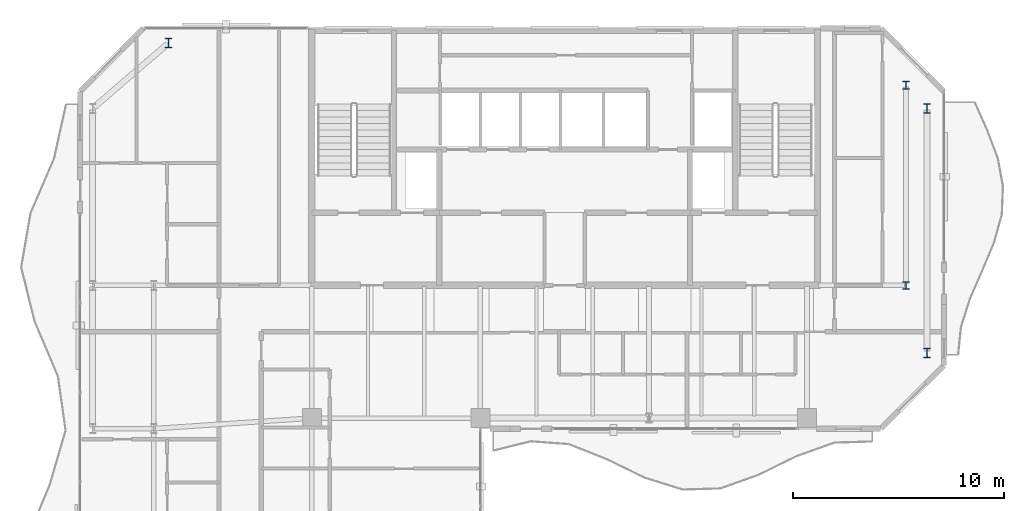
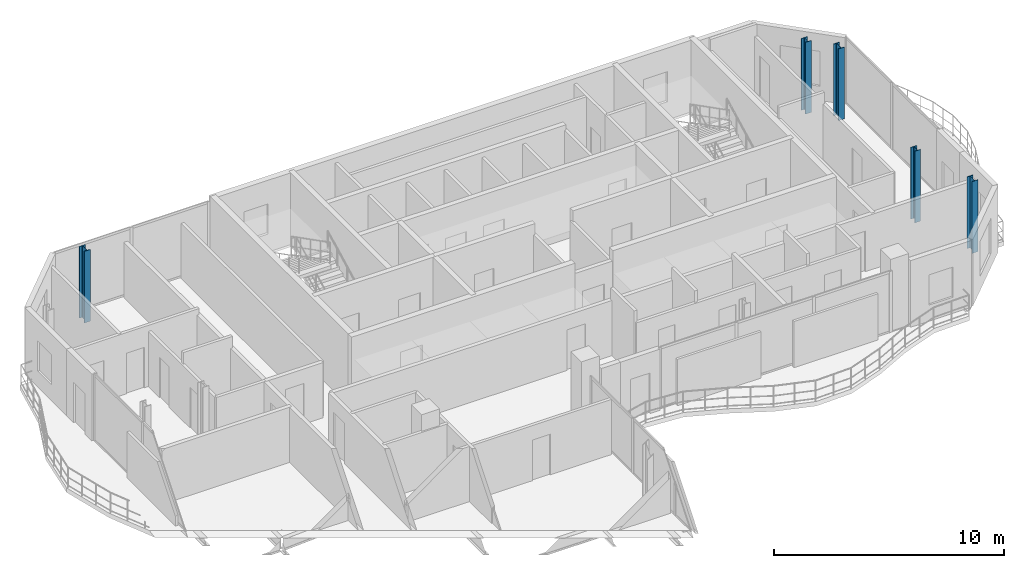
# One storey, part 2 of 22: 5 columns.
"""IFC4 building model written with IfcOpenShell, lengths in metres."""

from ifc_helpers import new_model, si_unit, direction, frame, origin, origin_2d, place, context, subcontext, project, spatial, i_section, extrude, material, material_profile, profile_set, type_object, element, save


model = new_model("IFC4")

# Units and contexts
model_context = context("Model", 3, precision=1e-05, world=origin(), true_north=direction((0.0, 1.0)))
body_context = subcontext(model_context, "Body", "Model", "MODEL_VIEW")
ifc_project = project(units=[si_unit("LENGTHUNIT", "METRE"), si_unit("AREAUNIT", "SQUARE_METRE"), si_unit("VOLUMEUNIT", "CUBIC_METRE"), si_unit("PLANEANGLEUNIT", "RADIAN"), si_unit("MASSUNIT", "GRAM", prefix="KILO")], contexts=[model_context])

# Site, building, storey
site_placement = place(None, origin())
site = spatial("IfcSite", under=ifc_project, at=site_placement, CompositionType="ELEMENT")
building_placement = place(site_placement, origin())
building = spatial("IfcBuilding", under=site, at=building_placement, Name="Catumbela Crestline Tower", CompositionType="ELEMENT")
storey_placement = place(building_placement, frame((0.0, 0.0, 222.2)))
storey = spatial("IfcBuildingStorey", under=building, at=storey_placement, Name="L57", CompositionType="ELEMENT", Elevation=222.2)

# Columns
ifc_material = material(Name="Structural steel S355J2", Category="steel")
ifc_material_profile_1 = material_profile(ifc_material, i_section(OverallWidth=0.3, OverallDepth=0.36, WebThickness=0.0125, FlangeThickness=0.0225, FilletRadius=0.027, at=origin_2d()), Name="HEB 360")
ifc_profile_set_1 = profile_set([ifc_material_profile_1], Name="Structural steel S355J2")
column_type_1 = type_object("IfcColumnType", Name="C-ST-HEB360", PredefinedType="COLUMN", material=ifc_profile_set_1)
for number, where, z_axis, x_axis, name in (
    (1, (44.2, 30.8, 0.0), (0.0, 0.0, 1.0), (1.0, 0.0, 0.0), "L57 Column CT-46-31 (HEB 360)"),
    (2, (44.2, 40.3, 0.0), (0.0, 0.0, 1.0), (1.0, 0.0, 0.0), "L57 Column CT-46-37 (HEB 360)"),
):
    element("IfcColumn", number, at=place(storey_placement, frame(where, z_axis=z_axis, x_axis=x_axis)), inside=storey, type_object=column_type_1, Name=name, PredefinedType="COLUMN", context=body_context, shape_type="SweptSolid", body=[
        extrude(i_section(OverallWidth=0.3, OverallDepth=0.36, WebThickness=0.0125, FlangeThickness=0.0225, FilletRadius=0.027, at=origin_2d()), origin(), (0.0, 0.0, 1.0), 3.8),
    ])
ifc_material_profile_2 = material_profile(ifc_material, i_section(OverallWidth=0.3, OverallDepth=0.45, WebThickness=0.014, FlangeThickness=0.026, FilletRadius=0.027, at=origin_2d()), Name="HEB 450")
ifc_profile_set_2 = profile_set([ifc_material_profile_2], Name="Structural steel S355J2")
column_type_2 = type_object("IfcColumnType", Name="C-ST-HEB450", PredefinedType="COLUMN", material=ifc_profile_set_2)
for number, where, z_axis, x_axis, name in (
    (3, (9.2, 42.3, 0.0), (0.0, 0.0, 1.0), (1.0, 0.0, 0.0), "L57 Column C-08-43 (HEB 450)"),
    (4, (45.2, 27.6, 0.0), (0.0, 0.0, 1.0), (1.0, 0.0, 0.0), "L57 Column C-46-24 (HEB 450)"),
    (5, (45.2, 39.2, 0.0), (0.0, 0.0, 1.0), (1.0, 0.0, 0.0), "L57 Column C-46-43 (HEB 450)"),
):
    element("IfcColumn", number, at=place(storey_placement, frame(where, z_axis=z_axis, x_axis=x_axis)), inside=storey, type_object=column_type_2, Name=name, PredefinedType="COLUMN", context=body_context, shape_type="SweptSolid", body=[
        extrude(i_section(OverallWidth=0.3, OverallDepth=0.45, WebThickness=0.014, FlangeThickness=0.026, FilletRadius=0.027, at=origin_2d()), origin(), (0.0, 0.0, 1.0), 3.8),
    ])

save(model, "model.ifc")
